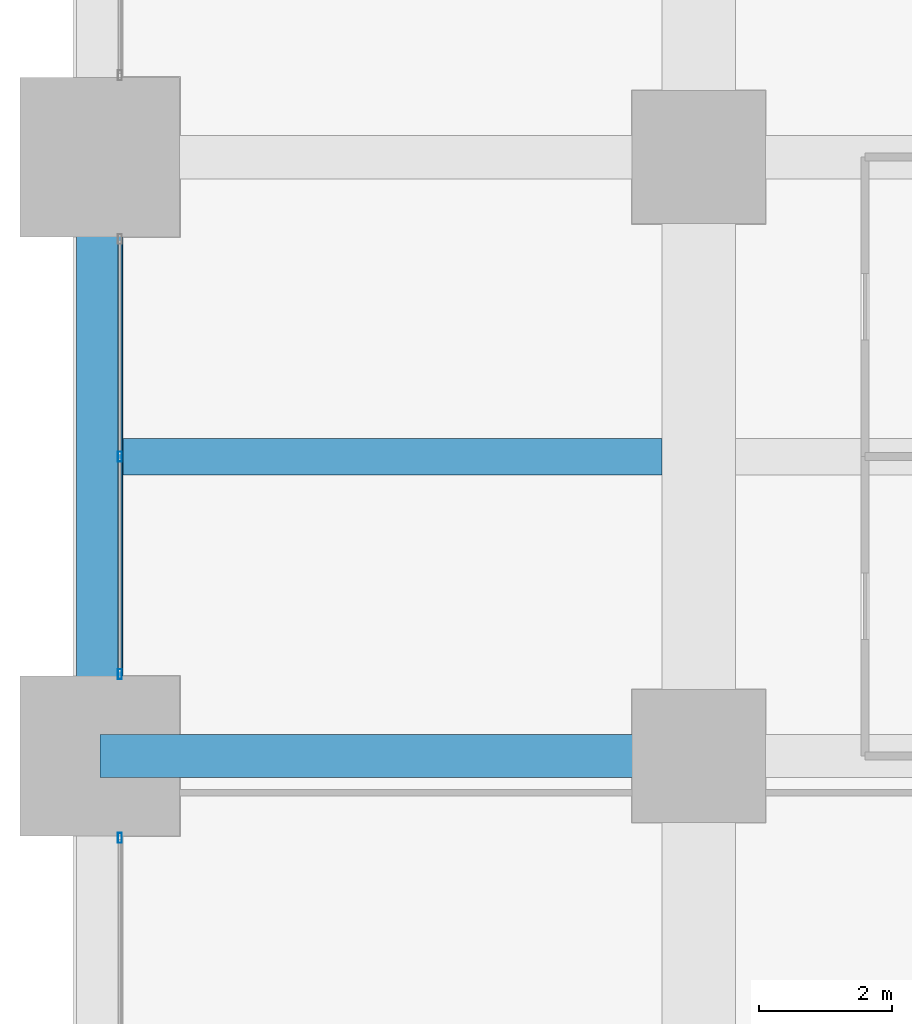
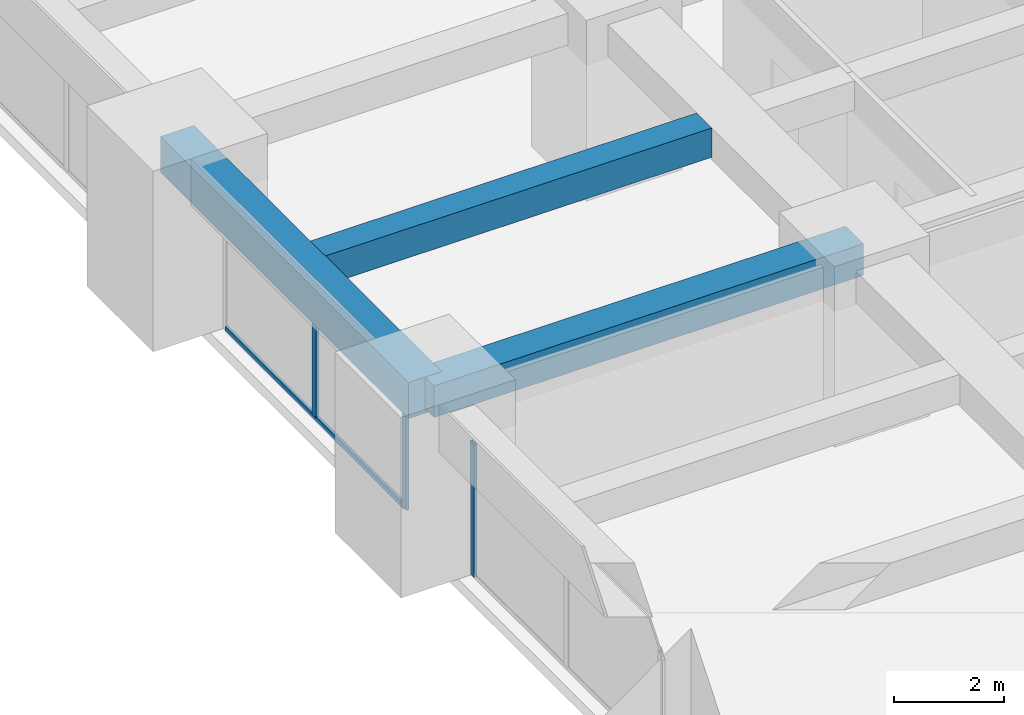
# One storey, part 9 of 41: 4 members, 3 beams, 2 elements without a shape of their own.
"""IFC4 building model written with IfcOpenShell, lengths in metres."""

from ifc_helpers import new_model, si_unit, direction, frame, origin, origin_2d, place, context, subcontext, project, spatial, rectangle, hollow_rectangle, extrude, material, material_profile, profile_set, type_object, element, aggregate, save


model = new_model("IFC4")

# Units and contexts
model_context = context("Model", 3, precision=1e-05, world=origin(), true_north=direction((0.0, 1.0)))
body_context = subcontext(model_context, "Body", "Model", "MODEL_VIEW")
ifc_project = project(units=[si_unit("LENGTHUNIT", "METRE"), si_unit("AREAUNIT", "SQUARE_METRE"), si_unit("VOLUMEUNIT", "CUBIC_METRE"), si_unit("PLANEANGLEUNIT", "RADIAN"), si_unit("MASSUNIT", "GRAM", prefix="KILO")], contexts=[model_context])

# Site, building, storey
site_placement = place(None, origin())
site = spatial("IfcSite", under=ifc_project, at=site_placement, CompositionType="ELEMENT")
building_placement = place(site_placement, origin())
building = spatial("IfcBuilding", under=site, at=building_placement, Name="Zorevar Civic Tower", CompositionType="ELEMENT")
storey_placement = place(building_placement, frame((0.0, 0.0, 101.0)))
storey = spatial("IfcBuildingStorey", under=building, at=storey_placement, Name="L24", CompositionType="ELEMENT", Elevation=101.0)

# Beams
ifc_material_1 = material(Name="Concrete C50/60", Category="concrete")
ifc_material_profile_1 = material_profile(ifc_material_1, rectangle(XDim=0.550048828125, YDim=0.64990234375, at=origin_2d()), Name="RC 550x650")
ifc_profile_set_1 = profile_set([ifc_material_profile_1], Name="Concrete C50/60")
beam_type_1 = type_object("IfcBeamType", Name="Beam RC 550x650", PredefinedType="BEAM", material=ifc_profile_set_1)
beam_1_placement = place(storey_placement, frame((0.35009765625, 22.5, 3.425048828125), z_axis=(1.0, 0.0, 0.0), x_axis=(0.0, 1.0, 0.0)))
element("IfcBeam", 1, at=beam_1_placement, inside=storey, type_object=beam_type_1, Name="Secondary beam L25", PredefinedType="BEAM", context=body_context, shape_type="SweptSolid", body=[
    extrude(rectangle(XDim=0.550048828125, YDim=0.64990234375, at=origin_2d()), origin(), (0.0, 0.0, 1.0), 8.099853515625),
])
ifc_material_2 = material(Name="Concrete C50/60", Category="concrete")
ifc_material_profile_2 = material_profile(ifc_material_2, rectangle(XDim=0.64990234375, YDim=0.699951171875, at=origin_2d()), Name="RC 650x700")
ifc_profile_set_2 = profile_set([ifc_material_profile_2], Name="Concrete C50/60")
beam_type_2 = type_object("IfcBeamType", Name="Beam RC 650x700", PredefinedType="BEAM", material=ifc_profile_set_2)
beam_2_placement = place(storey_placement, frame((0.0, 18.0, 3.39990234375), z_axis=(1.0, 0.0, 0.0), x_axis=(0.0, 1.0, 0.0)))
element("IfcBeam", 2, at=beam_2_placement, inside=storey, type_object=beam_type_2, Name="Girder L25", PredefinedType="BEAM", context=body_context, shape_type="SweptSolid", body=[
    extrude(rectangle(XDim=0.64990234375, YDim=0.699951171875, at=origin_2d()), origin(), (0.0, 0.0, 1.0), 9.0),
])

# Curtain wall, member
ifc_material_3 = material(Name="Dark grey solar-control glass in black aluminium frame", Category="aluminium")
curtain_wall_type = type_object("IfcCurtainWallType", Name="Curtain wall CW3 mid zone", PredefinedType="NOTDEFINED", material=ifc_material_3)
curtain_wall_1_placement = place(storey_placement, origin())
curtain_wall_1 = element("IfcCurtainWall", 3, at=curtain_wall_1_placement, inside=storey, type_object=curtain_wall_type, Name="CW3 L24", PredefinedType="NOTDEFINED")
ifc_material_4 = material(Name="Aluminium, black anodised", Category="aluminium")
ifc_material_profile_3 = material_profile(ifc_material_4, hollow_rectangle(XDim=0.06005859375, YDim=0.14990234375, WallThickness=0.00390625, at=origin_2d()), Name="AL 150x60x4")
ifc_profile_set_3 = profile_set([ifc_material_profile_3], Name="Aluminium, black anodised")
member_type_1 = type_object("IfcMemberType", Name="CW3 mullion AL 150x60x4", PredefinedType="MULLION", material=ifc_profile_set_3)
member_1_placement = place(storey_placement, frame((0.300048828125, 16.77001953125, 0.0), z_axis=(0.0, 0.0, 1.0), x_axis=(-1.0, 0.0, 0.0)))
member_1 = element("IfcMember", 4, at=member_1_placement, type_object=member_type_1, Name="CW3 mullion 3", PredefinedType="MULLION", context=body_context, shape_type="SweptSolid", body=[
    extrude(hollow_rectangle(XDim=0.06005859375, YDim=0.14990234375, WallThickness=0.00390625, at=origin_2d()), origin(), (0.0, 0.0, 1.0), 2.949951171875),
])
aggregate(curtain_wall_1, [member_1])

# Curtain wall, members
curtain_wall_2_placement = place(storey_placement, origin())
curtain_wall_2 = element("IfcCurtainWall", 5, at=curtain_wall_2_placement, inside=storey, type_object=curtain_wall_type, Name="CW3 L24", PredefinedType="NOTDEFINED")
member_2_placement = place(storey_placement, frame((0.300048828125, 19.22998046875, 0.0), z_axis=(0.0, 0.0, 1.0), x_axis=(-1.0, 0.0, 0.0)))
member_2 = element("IfcMember", 6, at=member_2_placement, type_object=member_type_1, Name="CW3 mullion 1", PredefinedType="MULLION", context=body_context, shape_type="SweptSolid", body=[
    extrude(hollow_rectangle(XDim=0.06005859375, YDim=0.14990234375, WallThickness=0.00390625, at=origin_2d()), origin(), (0.0, 0.0, 1.0), 2.949951171875),
])
member_3_placement = place(storey_placement, frame((0.300048828125, 22.5, 0.06005859375), z_axis=(0.0, 0.0, 1.0), x_axis=(-1.0, 0.0, 0.0)))
member_3 = element("IfcMember", 7, at=member_3_placement, type_object=member_type_1, Name="CW3 mullion 2", PredefinedType="MULLION", context=body_context, shape_type="SweptSolid", body=[
    extrude(hollow_rectangle(XDim=0.06005859375, YDim=0.14990234375, WallThickness=0.00390625, at=origin_2d()), origin(), (0.0, 0.0, 1.0), 2.889892578125),
])
ifc_material_5 = material(Name="Aluminium, black anodised", Category="aluminium")
ifc_material_profile_4 = material_profile(ifc_material_5, hollow_rectangle(XDim=0.06005859375, YDim=0.1201171875, WallThickness=0.0029296875, at=origin_2d()), Name="AL 120x60x3")
ifc_profile_set_4 = profile_set([ifc_material_profile_4], Name="Aluminium, black anodised")
member_type_2 = type_object("IfcMemberType", Name="CW3 transom AL 120x60x3", PredefinedType="USERDEFINED", material=ifc_profile_set_4)
member_4_placement = place(storey_placement, frame((0.300048828125, 19.260009765625, 0.030029296875), z_axis=(0.0, 1.0, 0.0), x_axis=(-1.0, 0.0, 0.0)))
member_4 = element("IfcMember", 8, at=member_4_placement, type_object=member_type_2, Name="CW3 sill transom", ObjectType="TRANSOM", PredefinedType="USERDEFINED", context=body_context, shape_type="SweptSolid", body=[
    extrude(hollow_rectangle(XDim=0.06005859375, YDim=0.1201171875, WallThickness=0.0029296875, at=origin_2d()), origin(), (0.0, 0.0, 1.0), 6.47998046875),
])
aggregate(curtain_wall_2, [member_2, member_3, member_4])

# Beam
ifc_material_6 = material(Name="Concrete C50/60", Category="concrete")
ifc_material_profile_5 = material_profile(ifc_material_6, rectangle(XDim=0.699951171875, YDim=0.800048828125, at=origin_2d()), Name="RC 700x800")
ifc_profile_set_5 = profile_set([ifc_material_profile_5], Name="Concrete C50/60")
beam_type_3 = type_object("IfcBeamType", Name="Edge beam RC 700x800", PredefinedType="SPANDREL", material=ifc_profile_set_5)
beam_3_placement = place(storey_placement, frame((0.0, 18.0, 3.35009765625), z_axis=(0.0, 1.0, 0.0), x_axis=(-1.0, 0.0, 0.0)))
element("IfcBeam", 9, at=beam_3_placement, inside=storey, type_object=beam_type_3, Name="Edge beam L25", PredefinedType="SPANDREL", context=body_context, shape_type="SweptSolid", body=[
    extrude(rectangle(XDim=0.699951171875, YDim=0.800048828125, at=origin_2d()), origin(), (0.0, 0.0, 1.0), 9.0),
])

save(model, "model.ifc")
